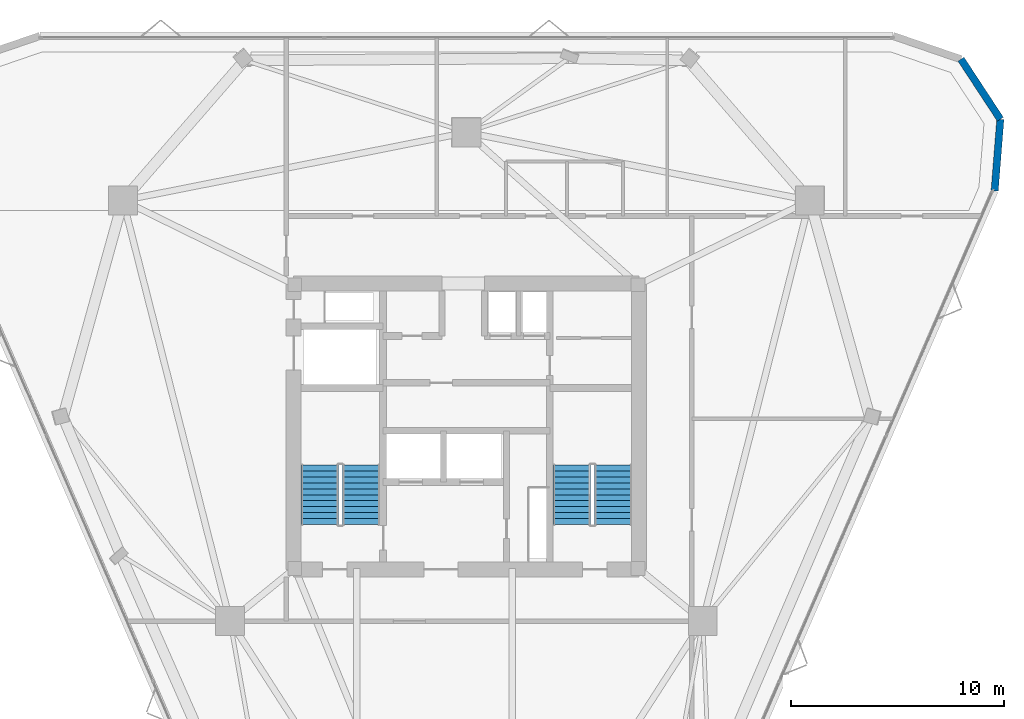
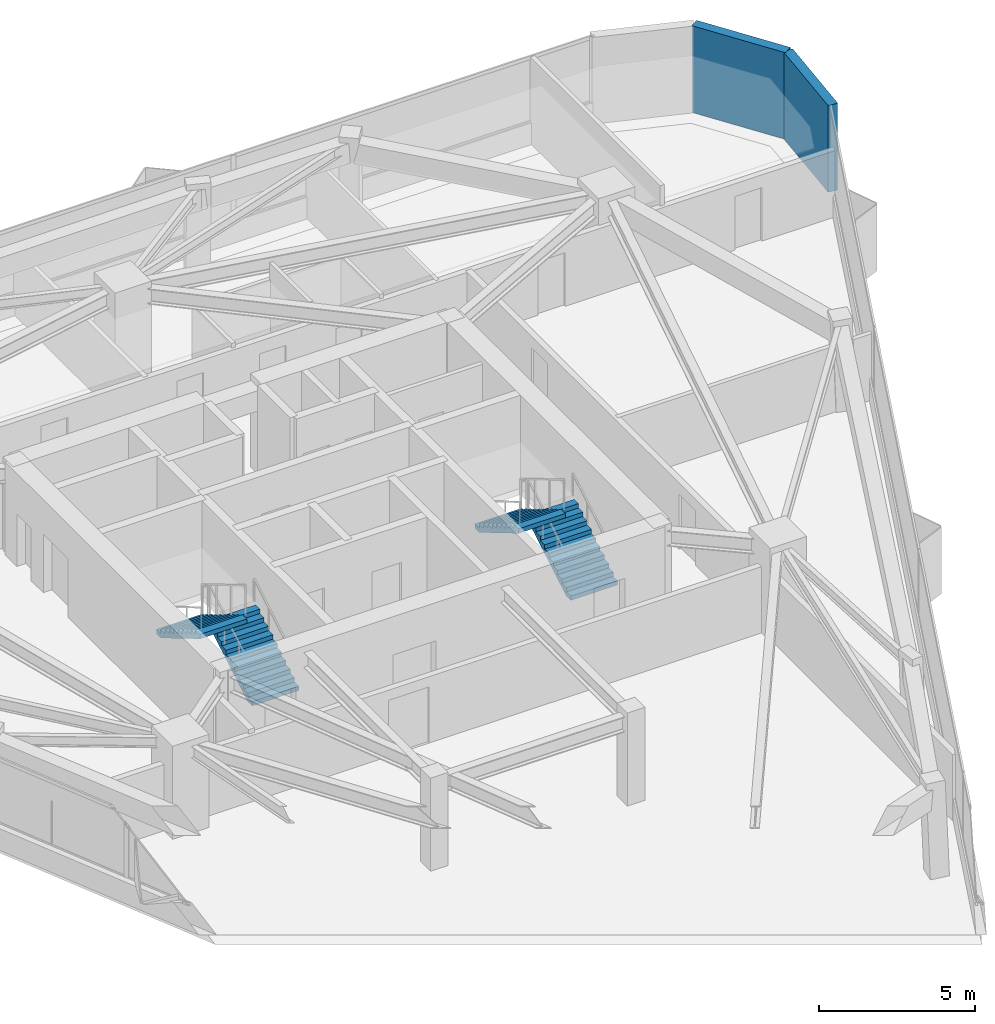
# One storey, part 11 of 13: 4 stair flights, 2 walls, 2 elements without a shape of their own.
"""IFC4 building model written with IfcOpenShell, lengths in metres."""

from ifc_helpers import new_model, si_unit, direction, frame, frame_2d, origin, place, context, subcontext, project, spatial, polyline, rectangle, outline, extrude, material, layer, layer_set, type_object, element, aggregate, save


model = new_model("IFC4")

# Units and contexts
model_context = context("Model", 3, precision=1e-05, world=origin(), true_north=direction((0.0, 1.0)))
body_context = subcontext(model_context, "Body", "Model", "MODEL_VIEW")
ifc_project = project(units=[si_unit("LENGTHUNIT", "METRE"), si_unit("AREAUNIT", "SQUARE_METRE"), si_unit("VOLUMEUNIT", "CUBIC_METRE"), si_unit("PLANEANGLEUNIT", "RADIAN"), si_unit("MASSUNIT", "GRAM", prefix="KILO")], contexts=[model_context])

# Site, building, storey
site_placement = place(None, origin())
site = spatial("IfcSite", under=ifc_project, at=site_placement, CompositionType="ELEMENT")
building_placement = place(site_placement, origin())
building = spatial("IfcBuilding", under=site, at=building_placement, Name="Talyreon Biosciences Tower", CompositionType="ELEMENT")
storey_placement = place(building_placement, frame((0.0, 0.0, 212.25)))
storey = spatial("IfcBuildingStorey", under=building, at=storey_placement, Name="L56", CompositionType="ELEMENT", Elevation=212.25)

# Walls
ifc_material_1 = material(Name="Precast concrete C45/55", Category="concrete")
ifc_layer = layer(ifc_material_1, 0.340087890625)
ifc_layer_set = layer_set([ifc_layer], Name="Precast concrete C45/55")
wall_type = type_object("IfcWallType", Name="PrecastConcreteSpandrelWall_340", PredefinedType="STANDARD", material=ifc_layer_set)
wall_1_placement = place(storey_placement, frame((89.18896484375, 85.225830078125, 0.0), z_axis=(0.0, 0.0, 1.0), x_axis=(0.548450776456, -0.836182842329, 0.0)))
element("IfcWall", 1, at=wall_1_placement, inside=storey, type_object=wall_type, Name="L56 Rounded-Corner Concrete Pier 06", PredefinedType="STANDARD", context=body_context, shape_type="SweptSolid", body=[
    extrude(rectangle(XDim=3.37109375, YDim=0.340087890625, at=frame_2d((1.685546875, 0.0))), origin(), (0.0, 0.0, 1.0), 3.39990234375),
])
wall_2_placement = place(storey_placement, frame((91.037841796875, 82.406982421875, 0.0), z_axis=(0.0, 0.0, 1.0), x_axis=(-0.079598407838, -0.996827012811, 0.0)))
element("IfcWall", 2, at=wall_2_placement, inside=storey, type_object=wall_type, Name="L56 Rounded-Corner Concrete Pier 07", PredefinedType="STANDARD", context=body_context, shape_type="SweptSolid", body=[
    extrude(rectangle(XDim=3.370849609375, YDim=0.340087890625, at=frame_2d((1.685546875, 0.0))), origin(), (0.0, 0.0, 1.0), 3.39990234375),
])

# Stair, stair flights
ifc_material_2 = material(Name="Concrete C40/50", Category="concrete")
stair_type = type_object("IfcStairType", Name="DoglegEscapeStair_3650", PredefinedType="HALF_TURN_STAIR", material=ifc_material_2)
stair_1_placement = place(storey_placement, origin())
stair_1 = element("IfcStair", 3, at=stair_1_placement, inside=storey, type_object=stair_type, Name="L56 Core Escape Stair 1", PredefinedType="HALF_TURN_STAIR")
stair_flight_type = type_object("IfcStairFlightType", Name="PrecastStairFlight_3650", PredefinedType="STRAIGHT", material=ifc_material_2)
stair_flight_1_placement = place(storey_placement, frame((61.06005859375, 63.39990234375, 0.0), z_axis=(0.0, 0.0, 1.0), x_axis=(0.0, 1.0, 0.0)))
stair_flight_1 = element("IfcStairFlight", 4, at=stair_flight_1_placement, type_object=stair_flight_type, Name="ST-1 flight 1", NumberOfRisers=11, NumberOfTreads=10, PredefinedType="STRAIGHT", RiserHeight=0.165909091, TreadLength=0.28, context=body_context, shape_type="SweptSolid", body=[
    extrude(outline(polyline([(0.0, 0.0), (0.0, 0.166015625), (0.280029296875, 0.166015625), (0.280029296875, 0.331787109375), (0.56005859375, 0.331787109375), (0.56005859375, 0.497802734375), (0.840087890625, 0.497802734375), (0.840087890625, 0.66357421875), (1.1201171875, 0.66357421875), (1.1201171875, 0.82958984375), (1.39990234375, 0.82958984375), (1.39990234375, 0.995361328125), (1.679931640625, 0.995361328125), (1.679931640625, 1.161376953125), (1.9599609375, 1.161376953125), (1.9599609375, 1.327392578125), (2.239990234375, 1.327392578125), (2.239990234375, 1.4931640625), (2.52001953125, 1.4931640625), (2.52001953125, 1.6591796875), (2.800048828125, 1.6591796875), (2.800048828125, 1.824951171875), (2.800048828125, 1.48486328125), (0.2939453125, 0.0), (0.0, 0.0)])), frame((0.0, 0.8701171875, 0.0), z_axis=(0.0, -1.0, 0.0), x_axis=(1.0, 0.0, 0.0)), (0.0, 0.0, 1.0), 1.739990234375),
])
stair_flight_2_placement = place(storey_placement, frame((59.1201171875, 66.199951171875, 1.824951171875), z_axis=(0.0, 0.0, 1.0), x_axis=(0.0, -1.0, 0.0)))
stair_flight_2 = element("IfcStairFlight", 5, at=stair_flight_2_placement, type_object=stair_flight_type, Name="ST-1 flight 2", NumberOfRisers=11, NumberOfTreads=10, PredefinedType="STRAIGHT", RiserHeight=0.165909091, TreadLength=0.28, context=body_context, shape_type="SweptSolid", body=[
    extrude(outline(polyline([(0.0, 0.0), (0.0, 0.166015625), (0.280029296875, 0.166015625), (0.280029296875, 0.331787109375), (0.56005859375, 0.331787109375), (0.56005859375, 0.497802734375), (0.840087890625, 0.497802734375), (0.840087890625, 0.66357421875), (1.1201171875, 0.66357421875), (1.1201171875, 0.82958984375), (1.39990234375, 0.82958984375), (1.39990234375, 0.995361328125), (1.679931640625, 0.995361328125), (1.679931640625, 1.161376953125), (1.9599609375, 1.161376953125), (1.9599609375, 1.327392578125), (2.239990234375, 1.327392578125), (2.239990234375, 1.4931640625), (2.52001953125, 1.4931640625), (2.52001953125, 1.6591796875), (2.800048828125, 1.6591796875), (2.800048828125, 1.824951171875), (2.800048828125, 1.48486328125), (0.2939453125, 0.0), (0.0, 0.0)])), frame((0.0, 0.8701171875, 0.0), z_axis=(0.0, -1.0, 0.0), x_axis=(1.0, 0.0, 0.0)), (0.0, 0.0, 1.0), 1.739990234375),
])
aggregate(stair_1, [stair_flight_1, stair_flight_2])

stair_2_placement = place(storey_placement, origin())
stair_2 = element("IfcStair", 6, at=stair_2_placement, inside=storey, type_object=stair_type, Name="L56 Core Escape Stair 2", PredefinedType="HALF_TURN_STAIR")
stair_flight_3_placement = place(storey_placement, frame((72.8798828125, 63.39990234375, 0.0), z_axis=(0.0, 0.0, 1.0), x_axis=(0.0, 1.0, 0.0)))
stair_flight_3 = element("IfcStairFlight", 7, at=stair_flight_3_placement, type_object=stair_flight_type, Name="ST-2 flight 1", NumberOfRisers=11, NumberOfTreads=10, PredefinedType="STRAIGHT", RiserHeight=0.165909091, TreadLength=0.28, context=body_context, shape_type="SweptSolid", body=[
    extrude(outline(polyline([(0.0, 0.0), (0.0, 0.166015625), (0.280029296875, 0.166015625), (0.280029296875, 0.331787109375), (0.56005859375, 0.331787109375), (0.56005859375, 0.497802734375), (0.840087890625, 0.497802734375), (0.840087890625, 0.66357421875), (1.1201171875, 0.66357421875), (1.1201171875, 0.82958984375), (1.39990234375, 0.82958984375), (1.39990234375, 0.995361328125), (1.679931640625, 0.995361328125), (1.679931640625, 1.161376953125), (1.9599609375, 1.161376953125), (1.9599609375, 1.327392578125), (2.239990234375, 1.327392578125), (2.239990234375, 1.4931640625), (2.52001953125, 1.4931640625), (2.52001953125, 1.6591796875), (2.800048828125, 1.6591796875), (2.800048828125, 1.824951171875), (2.800048828125, 1.48486328125), (0.2939453125, 0.0), (0.0, 0.0)])), frame((0.0, 0.8701171875, 0.0), z_axis=(0.0, -1.0, 0.0), x_axis=(1.0, 0.0, 0.0)), (0.0, 0.0, 1.0), 1.739990234375),
])
stair_flight_4_placement = place(storey_placement, frame((70.93994140625, 66.199951171875, 1.824951171875), z_axis=(0.0, 0.0, 1.0), x_axis=(0.0, -1.0, 0.0)))
stair_flight_4 = element("IfcStairFlight", 8, at=stair_flight_4_placement, type_object=stair_flight_type, Name="ST-2 flight 2", NumberOfRisers=11, NumberOfTreads=10, PredefinedType="STRAIGHT", RiserHeight=0.165909091, TreadLength=0.28, context=body_context, shape_type="SweptSolid", body=[
    extrude(outline(polyline([(0.0, 0.0), (0.0, 0.166015625), (0.280029296875, 0.166015625), (0.280029296875, 0.331787109375), (0.56005859375, 0.331787109375), (0.56005859375, 0.497802734375), (0.840087890625, 0.497802734375), (0.840087890625, 0.66357421875), (1.1201171875, 0.66357421875), (1.1201171875, 0.82958984375), (1.39990234375, 0.82958984375), (1.39990234375, 0.995361328125), (1.679931640625, 0.995361328125), (1.679931640625, 1.161376953125), (1.9599609375, 1.161376953125), (1.9599609375, 1.327392578125), (2.239990234375, 1.327392578125), (2.239990234375, 1.4931640625), (2.52001953125, 1.4931640625), (2.52001953125, 1.6591796875), (2.800048828125, 1.6591796875), (2.800048828125, 1.824951171875), (2.800048828125, 1.48486328125), (0.2939453125, 0.0), (0.0, 0.0)])), frame((0.0, 0.8701171875, 0.0), z_axis=(0.0, -1.0, 0.0), x_axis=(1.0, 0.0, 0.0)), (0.0, 0.0, 1.0), 1.739990234375),
])
aggregate(stair_2, [stair_flight_3, stair_flight_4])

save(model, "model.ifc")
